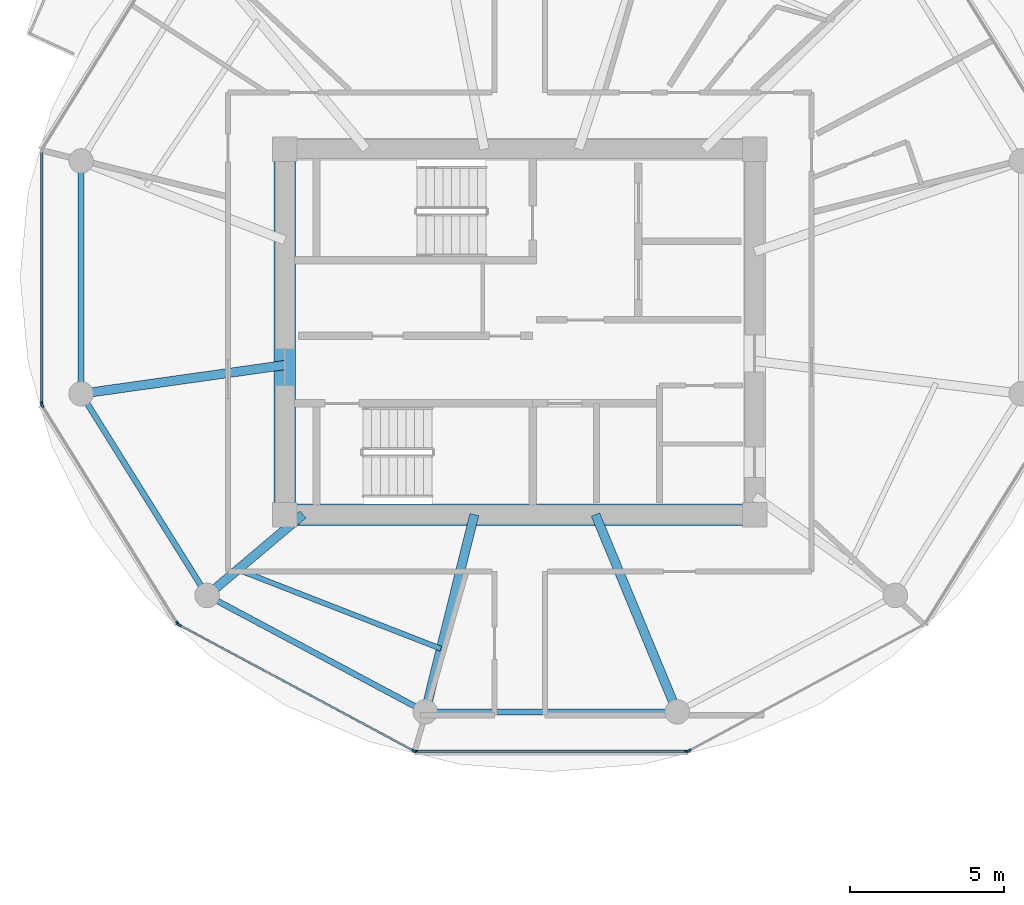
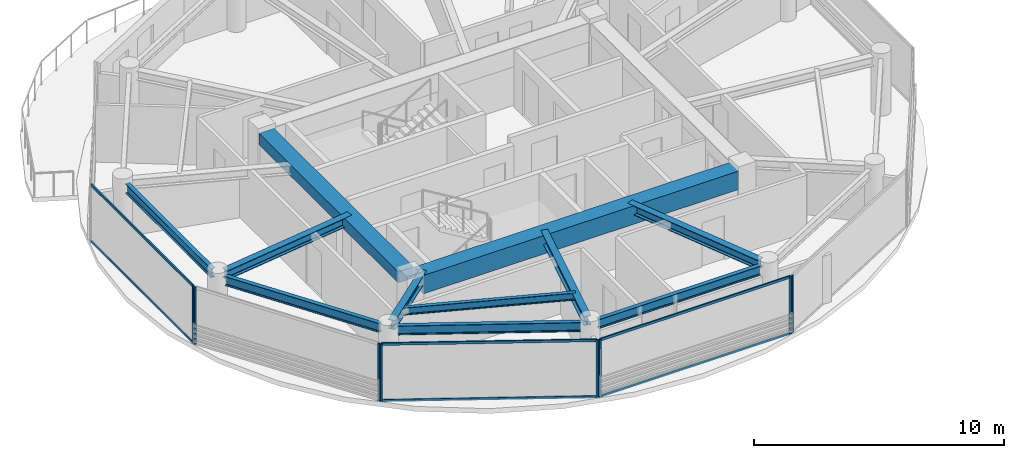
# One storey, part 2 of 21: 14 members, 11 beams, 5 elements without a shape of their own.
"""IFC4 building model written with IfcOpenShell, lengths in metres."""

from ifc_helpers import new_model, si_unit, direction, frame, origin, origin_2d, place, context, subcontext, project, spatial, rectangle, i_section, extrude, source, transform, mapped, material, layer, layer_set, material_profile, profile_set, type_object, type_shapes, element, aggregate, save


model = new_model("IFC4")

# Units and contexts
model_context = context("Model", 3, precision=1e-05, world=origin(), true_north=direction((0.0, 1.0)))
body_context = subcontext(model_context, "Body", "Model", "MODEL_VIEW")
ifc_project = project(units=[si_unit("LENGTHUNIT", "METRE"), si_unit("AREAUNIT", "SQUARE_METRE"), si_unit("VOLUMEUNIT", "CUBIC_METRE"), si_unit("PLANEANGLEUNIT", "RADIAN"), si_unit("MASSUNIT", "GRAM", prefix="KILO")], contexts=[model_context])

# Site, building, storey
site_placement = place(None, origin())
site = spatial("IfcSite", under=ifc_project, at=site_placement, CompositionType="ELEMENT")
building_placement = place(site_placement, origin())
building = spatial("IfcBuilding", under=site, at=building_placement, Name="Norrkilde Senior Care Towers", CompositionType="ELEMENT")
storey_placement = place(building_placement, frame((0.0, 0.0, 149.550048828125)))
storey = spatial("IfcBuildingStorey", under=building, at=storey_placement, Name="L46", CompositionType="ELEMENT", Elevation=149.550048828125)

# Beams
ifc_material_1 = material(Name="Concrete C60/75", Category="concrete")
ifc_material_profile_1 = material_profile(ifc_material_1, rectangle(XDim=0.699951171875, YDim=0.89990234375, at=origin_2d()), Name="RC BM 700x900")
ifc_profile_set_1 = profile_set([ifc_material_profile_1], Name="Concrete C60/75")
beam_type_1 = type_object("IfcBeamType", Name="Core Coupling Girder 700x900", PredefinedType="USERDEFINED", material=ifc_profile_set_1)
shared_shape_1 = source(origin(), body_context, "Body", "SweptSolid", [
    extrude(rectangle(XDim=0.699951171875, YDim=0.89990234375, at=origin_2d()), origin(), (0.0, 0.0, 1.0), 14.5400390625),
])
type_shapes(beam_type_1, [shared_shape_1])
beam_1_placement = place(storey_placement, frame((-35.27001953125, -5.949951171875, 2.35986328125), z_axis=(1.0, 0.0, 0.0), x_axis=(0.0, 1.0, 0.0)))
element("IfcBeam", 1, at=beam_1_placement, inside=storey, type_object=beam_type_1, Name="L46 Core W S Coupling Girder", ObjectType="GIRDER", PredefinedType="USERDEFINED", context=body_context, shape_type="MappedRepresentation", body=[
    mapped(shared_shape_1, transform((0.0, 0.0, 0.0), x_axis=(1.0, 0.0, 0.0), y_axis=(0.0, 1.0, 0.0), z_axis=(0.0, 0.0, 1.0), scale=1.0)),
])
ifc_material_profile_2 = material_profile(ifc_material_1, rectangle(XDim=0.699951171875, YDim=0.550048828125, at=origin_2d()), Name="RC BM 700x550")
ifc_profile_set_2 = profile_set([ifc_material_profile_2], Name="Concrete C60/75")
beam_type_2 = type_object("IfcBeamType", Name="Core Portal Coupling Beam 700x550", PredefinedType="USERDEFINED", material=ifc_profile_set_2)
shared_shape_2 = source(origin(), body_context, "Body", "SweptSolid", [
    extrude(rectangle(XDim=0.699951171875, YDim=0.550048828125, at=origin_2d()), origin(), (0.0, 0.0, 1.0), 11.14013671875),
])
type_shapes(beam_type_2, [shared_shape_2])
beam_2_placement = place(storey_placement, frame((-35.64990234375, -5.570068359375, 2.534912109375), z_axis=(0.0, 1.0, 0.0), x_axis=(-1.0, 0.0, 0.0)))
element("IfcBeam", 2, at=beam_2_placement, inside=storey, type_object=beam_type_2, Name="L46 Core W W Coupling Girder", ObjectType="GIRDER", PredefinedType="USERDEFINED", context=body_context, shape_type="MappedRepresentation", body=[
    mapped(shared_shape_2, transform((0.0, 0.0, 0.0), x_axis=(1.0, 0.0, 0.0), y_axis=(0.0, 1.0, 0.0), z_axis=(0.0, 0.0, 1.0), scale=1.0)),
])
ifc_material_2 = material(Name="Steel S355", Category="steel")
ifc_material_profile_3 = material_profile(ifc_material_2, i_section(OverallWidth=0.18994140625, OverallDepth=0.449951171875, WebThickness=0.009521484375, FlangeThickness=0.0146484375, FilletRadius=0.02099609375, at=origin_2d()), Name="IPE 450")
ifc_profile_set_3 = profile_set([ifc_material_profile_3], Name="Steel S355")
beam_type_3 = type_object("IfcBeamType", Name="Perimeter Ring Spandrel Z3 IPE450", PredefinedType="SPANDREL", material=ifc_profile_set_3)
shared_shape_3 = source(origin(), body_context, "Body", "SweptSolid", [
    extrude(i_section(OverallWidth=0.18994140625, OverallDepth=0.449951171875, WebThickness=0.009521484375, FlangeThickness=0.0146484375, FilletRadius=0.02099609375, at=origin_2d()), origin(), (0.0, 0.0, 1.0), 7.484619140625),
])
beam_3_placement = place(storey_placement, frame((-30.71728515625, -12.37548828125, 2.5849609375), z_axis=(1.0, 0.0, 0.0), x_axis=(0.0, 1.0, 0.0)))
element("IfcBeam", 3, at=beam_3_placement, inside=storey, type_object=beam_type_3, Name="L46 Drum W Perimeter Spandrel 09", PredefinedType="SPANDREL", context=body_context, shape_type="MappedRepresentation", body=[
    mapped(shared_shape_3, transform((0.0, 0.0, 0.0), x_axis=(1.0, 0.0, 0.0), y_axis=(0.0, 1.0, 0.0), z_axis=(0.0, 0.0, 1.0), scale=1.0)),
])
shared_shape_4 = source(origin(), body_context, "Body", "SweptSolid", [
    extrude(i_section(OverallWidth=0.18994140625, OverallDepth=0.449951171875, WebThickness=0.009521484375, FlangeThickness=0.0146484375, FilletRadius=0.02099609375, at=origin_2d()), origin(), (0.0, 0.0, 1.0), 6.86328125),
])
beam_4_placement = place(storey_placement, frame((-42.284912109375, 5.20703125, 2.5849609375), z_axis=(0.0, -1.0, 0.0), x_axis=(1.0, 0.0, 0.0)))
element("IfcBeam", 4, at=beam_4_placement, inside=storey, type_object=beam_type_3, Name="L46 Drum W Perimeter Spandrel 06", PredefinedType="SPANDREL", context=body_context, shape_type="MappedRepresentation", body=[
    mapped(shared_shape_4, transform((0.0, 0.0, 0.0), x_axis=(1.0, 0.0, 0.0), y_axis=(0.0, 1.0, 0.0), z_axis=(0.0, 0.0, 1.0), scale=1.0)),
])
shared_shape_5 = source(origin(), body_context, "Body", "SweptSolid", [
    extrude(i_section(OverallWidth=0.18994140625, OverallDepth=0.449951171875, WebThickness=0.009521484375, FlangeThickness=0.0146484375, FilletRadius=0.02099609375, at=origin_2d()), origin(), (0.0, 0.0, 1.0), 7.023193359375),
])
beam_5_placement = place(storey_placement, frame((-42.09423828125, -2.32177734375, 2.5849609375), z_axis=(0.529805197269, -0.848119362441, 0.0), x_axis=(0.848119362441, 0.529805197269, 0.0)))
element("IfcBeam", 5, at=beam_5_placement, inside=storey, type_object=beam_type_3, Name="L46 Drum W Perimeter Spandrel 07", PredefinedType="SPANDREL", context=body_context, shape_type="MappedRepresentation", body=[
    mapped(shared_shape_5, transform((0.0, 0.0, 0.0), x_axis=(1.0, 0.0, 0.0), y_axis=(0.0, 1.0, 0.0), z_axis=(0.0, 0.0, 1.0), scale=1.0)),
])
ifc_material_profile_4 = material_profile(ifc_material_2, i_section(OverallWidth=0.300048828125, OverallDepth=0.449951171875, WebThickness=0.013916015625, FlangeThickness=0.02587890625, FilletRadius=0.027099609375, at=origin_2d()), Name="HEB 450")
ifc_profile_set_4 = profile_set([ifc_material_profile_4], Name="Steel S355")
beam_type_4 = type_object("IfcBeamType", Name="Radial Floor Beam Z3 HEB450", PredefinedType="BEAM", material=ifc_profile_set_4)
shared_shape_6 = source(origin(), body_context, "Body", "SweptSolid", [
    extrude(i_section(OverallWidth=0.300048828125, OverallDepth=0.449951171875, WebThickness=0.013916015625, FlangeThickness=0.02587890625, FilletRadius=0.027099609375, at=origin_2d()), origin(), (0.0, 0.0, 1.0), 6.3408203125),
])
beam_6_placement = place(storey_placement, frame((-35.64990234375, -1.079833984375, 2.5849609375), z_axis=(-0.990184519576, -0.139766294905, 0.0), x_axis=(0.139766294905, -0.990184519576, 0.0)))
element("IfcBeam", 6, at=beam_6_placement, inside=storey, type_object=beam_type_4, Name="L46 Drum W Radial Floor Beam 07", PredefinedType="BEAM", context=body_context, shape_type="MappedRepresentation", body=[
    mapped(shared_shape_6, transform((0.0, 0.0, 0.0), x_axis=(1.0, 0.0, 0.0), y_axis=(0.0, 1.0, 0.0), z_axis=(0.0, 0.0, 1.0), scale=1.0)),
])
shared_shape_7 = source(origin(), body_context, "Body", "SweptSolid", [
    extrude(i_section(OverallWidth=0.18994140625, OverallDepth=0.449951171875, WebThickness=0.009521484375, FlangeThickness=0.0146484375, FilletRadius=0.02099609375, at=origin_2d()), origin(), (0.0, 0.0, 1.0), 7.333984375),
])
type_shapes(beam_type_3, [shared_shape_3, shared_shape_4, shared_shape_5, shared_shape_7])
beam_7_placement = place(storey_placement, frame((-37.864990234375, -8.753173828125, 2.5849609375), z_axis=(0.882234038987, -0.470811109101, 0.0), x_axis=(0.470811109101, 0.882234038987, 0.0)))
element("IfcBeam", 7, at=beam_7_placement, inside=storey, type_object=beam_type_3, Name="L46 Drum W Perimeter Spandrel 08", PredefinedType="SPANDREL", context=body_context, shape_type="MappedRepresentation", body=[
    mapped(shared_shape_7, transform((0.0, 0.0, 0.0), x_axis=(1.0, 0.0, 0.0), y_axis=(0.0, 1.0, 0.0), z_axis=(0.0, 0.0, 1.0), scale=1.0)),
])
shared_shape_8 = source(origin(), body_context, "Body", "SweptSolid", [
    extrude(i_section(OverallWidth=0.300048828125, OverallDepth=0.449951171875, WebThickness=0.013916015625, FlangeThickness=0.02587890625, FilletRadius=0.027099609375, at=origin_2d()), origin(), (0.0, 0.0, 1.0), 3.7265625),
])
beam_8_placement = place(storey_placement, frame((-35.058349609375, -5.949951171875, 2.5849609375), z_axis=(-0.764567902106, -0.644543189453, 0.0), x_axis=(0.644543189453, -0.764567902106, 0.0)))
element("IfcBeam", 8, at=beam_8_placement, inside=storey, type_object=beam_type_4, Name="L46 Drum W Radial Floor Beam 08", PredefinedType="BEAM", context=body_context, shape_type="MappedRepresentation", body=[
    mapped(shared_shape_8, transform((0.0, 0.0, 0.0), x_axis=(1.0, 0.0, 0.0), y_axis=(0.0, 1.0, 0.0), z_axis=(0.0, 0.0, 1.0), scale=1.0)),
])
shared_shape_9 = source(origin(), body_context, "Body", "SweptSolid", [
    extrude(i_section(OverallWidth=0.300048828125, OverallDepth=0.449951171875, WebThickness=0.013916015625, FlangeThickness=0.02587890625, FilletRadius=0.027099609375, at=origin_2d()), origin(), (0.0, 0.0, 1.0), 6.26123046875),
])
beam_9_placement = place(storey_placement, frame((-29.4794921875, -5.949951171875, 2.5849609375), z_axis=(-0.241324375921, -0.970444509277, 0.0), x_axis=(0.970444509277, -0.241324375921, 0.0)))
element("IfcBeam", 9, at=beam_9_placement, inside=storey, type_object=beam_type_4, Name="L46 Drum W Radial Floor Beam 09", PredefinedType="BEAM", context=body_context, shape_type="MappedRepresentation", body=[
    mapped(shared_shape_9, transform((0.0, 0.0, 0.0), x_axis=(1.0, 0.0, 0.0), y_axis=(0.0, 1.0, 0.0), z_axis=(0.0, 0.0, 1.0), scale=1.0)),
])
shared_shape_10 = source(origin(), body_context, "Body", "SweptSolid", [
    extrude(i_section(OverallWidth=0.300048828125, OverallDepth=0.449951171875, WebThickness=0.013916015625, FlangeThickness=0.02587890625, FilletRadius=0.027099609375, at=origin_2d()), origin(), (0.0, 0.0, 1.0), 6.59521484375),
])
type_shapes(beam_type_4, [shared_shape_6, shared_shape_8, shared_shape_9, shared_shape_10])
beam_10_placement = place(storey_placement, frame((-25.534912109375, -5.949951171875, 2.5849609375), z_axis=(0.382761541363, -0.923847174836, 0.0), x_axis=(0.923847174836, 0.382761541363, 0.0)))
element("IfcBeam", 10, at=beam_10_placement, inside=storey, type_object=beam_type_4, Name="L46 Drum W Radial Floor Beam 10", PredefinedType="BEAM", context=body_context, shape_type="MappedRepresentation", body=[
    mapped(shared_shape_10, transform((0.0, 0.0, 0.0), x_axis=(1.0, 0.0, 0.0), y_axis=(0.0, 1.0, 0.0), z_axis=(0.0, 0.0, 1.0), scale=1.0)),
])
ifc_material_profile_5 = material_profile(ifc_material_2, i_section(OverallWidth=0.169921875, OverallDepth=0.360107421875, WebThickness=0.008056640625, FlangeThickness=0.0126953125, FilletRadius=0.01806640625, at=origin_2d()), Name="IPE 360")
ifc_profile_set_5 = profile_set([ifc_material_profile_5], Name="Steel S355")
beam_type_5 = type_object("IfcBeamType", Name="Secondary Floor Joist IPE360", PredefinedType="JOIST", material=ifc_profile_set_5)
shared_shape_11 = source(origin(), body_context, "Body", "SweptSolid", [
    extrude(i_section(OverallWidth=0.169921875, OverallDepth=0.360107421875, WebThickness=0.008056640625, FlangeThickness=0.0126953125, FilletRadius=0.01806640625, at=origin_2d()), origin(), (0.0, 0.0, 1.0), 7.1015625),
])
type_shapes(beam_type_5, [shared_shape_11])
beam_11_placement = place(storey_placement, frame((-37.182861328125, -7.740966796875, 2.6298828125), z_axis=(0.931761231292, -0.363071629106, 0.0), x_axis=(0.363071629106, 0.931761231292, 0.0)))
element("IfcBeam", 11, at=beam_11_placement, inside=storey, type_object=beam_type_5, Name="L46 Drum W Secondary Floor Joist 3", PredefinedType="JOIST", context=body_context, shape_type="MappedRepresentation", body=[
    mapped(shared_shape_11, transform((0.0, 0.0, 0.0), x_axis=(1.0, 0.0, 0.0), y_axis=(0.0, 1.0, 0.0), z_axis=(0.0, 0.0, 1.0), scale=1.0)),
])

# Curtain wall, member
ifc_material_3 = material(Name="Triple Low-E Insulated Glazing", Category="glass")
ifc_layer = layer(ifc_material_3, 0.18994140625)
ifc_layer_set = layer_set([ifc_layer], Name="Triple Low-E Insulated Glazing")
curtain_wall_type = type_object("IfcCurtainWallType", Name="CW4 Zone 3 Senior Residence Curtain Wall", PredefinedType="NOTDEFINED", material=ifc_layer_set)
curtain_wall_1_placement = place(storey_placement, origin())
curtain_wall_1 = element("IfcCurtainWall", 12, at=curtain_wall_1_placement, inside=storey, type_object=curtain_wall_type, Name="L46 Drum W Curtain Wall 05", PredefinedType="NOTDEFINED")
ifc_material_4 = material(Name="Anodised Aluminium", Category="aluminium")
ifc_material_profile_6 = material_profile(ifc_material_4, rectangle(XDim=0.06494140625, YDim=0.14990234375, at=origin_2d()), Name="ALU MULL 65x150")
ifc_profile_set_6 = profile_set([ifc_material_profile_6], Name="Anodised Aluminium")
member_type_1 = type_object("IfcMemberType", Name="Curtain Wall Mullion Z3-Z4 65x150", PredefinedType="MULLION", material=ifc_profile_set_6)
shared_shape_12 = source(origin(), body_context, "Body", "SweptSolid", [
    extrude(rectangle(XDim=0.06494140625, YDim=0.14990234375, at=origin_2d()), origin(), (0.0, 0.0, 1.0), 2.81005859375),
])
type_shapes(member_type_1, [shared_shape_12])
member_1_placement = place(storey_placement, frame((-43.569580078125, -2.328125, 0.0), z_axis=(0.0, 0.0, 1.0), x_axis=(-1.0, 0.0, 0.0)))
member_1 = element("IfcMember", 13, at=member_1_placement, type_object=member_type_1, Name="CW-4 mullion 1", PredefinedType="MULLION", context=body_context, shape_type="MappedRepresentation", body=[
    mapped(shared_shape_12, transform((0.0, 0.0, 0.0), x_axis=(1.0, 0.0, 0.0), y_axis=(0.0, 1.0, 0.0), z_axis=(0.0, 0.0, 1.0), scale=1.0)),
])

# Curtain wall, members
curtain_wall_2_placement = place(storey_placement, origin())
curtain_wall_2 = element("IfcCurtainWall", 14, at=curtain_wall_2_placement, inside=storey, type_object=curtain_wall_type, Name="L46 Drum W Curtain Wall 06", PredefinedType="NOTDEFINED")
member_2_placement = place(storey_placement, frame((-39.14013671875, -9.49658203125, 0.0), z_axis=(0.0, 0.0, 1.0), x_axis=(-0.84963405474, -0.52737270789, 0.0)))
member_2 = element("IfcMember", 15, at=member_2_placement, type_object=member_type_1, Name="CW-4 mullion 1", PredefinedType="MULLION", context=body_context, shape_type="MappedRepresentation", body=[
    mapped(shared_shape_12, transform((0.0, 0.0, 0.0), x_axis=(1.0, 0.0, 0.0), y_axis=(0.0, 1.0, 0.0), z_axis=(0.0, 0.0, 1.0), scale=1.0)),
])
member_3_placement = place(storey_placement, frame((-43.552490234375, -2.38818359375, 0.0), z_axis=(0.0, 0.0, 1.0), x_axis=(-0.84963405474, -0.52737270789, 0.0)))
member_3 = element("IfcMember", 16, at=member_3_placement, type_object=member_type_1, Name="CW-4 mullion 2", PredefinedType="MULLION", context=body_context, shape_type="MappedRepresentation", body=[
    mapped(shared_shape_12, transform((0.0, 0.0, 0.0), x_axis=(1.0, 0.0, 0.0), y_axis=(0.0, 1.0, 0.0), z_axis=(0.0, 0.0, 1.0), scale=1.0)),
])
aggregate(curtain_wall_2, [member_2, member_3])

curtain_wall_3_placement = place(storey_placement, origin())
curtain_wall_3 = element("IfcCurtainWall", 17, at=curtain_wall_3_placement, inside=storey, type_object=curtain_wall_type, Name="L46 Drum W Curtain Wall 07", PredefinedType="NOTDEFINED")
member_4_placement = place(storey_placement, frame((-31.4501953125, -13.644775390625, 0.0), z_axis=(0.0, 0.0, 1.0), x_axis=(-0.47311715104, -0.880999524059, 0.0)))
member_4 = element("IfcMember", 18, at=member_4_placement, type_object=member_type_1, Name="CW-4 mullion 1", PredefinedType="MULLION", context=body_context, shape_type="MappedRepresentation", body=[
    mapped(shared_shape_12, transform((0.0, 0.0, 0.0), x_axis=(1.0, 0.0, 0.0), y_axis=(0.0, 1.0, 0.0), z_axis=(0.0, 0.0, 1.0), scale=1.0)),
])
member_5_placement = place(storey_placement, frame((-39.094482421875, -9.53955078125, 0.0), z_axis=(0.0, 0.0, 1.0), x_axis=(-0.47311715104, -0.880999524059, 0.0)))
member_5 = element("IfcMember", 19, at=member_5_placement, type_object=member_type_1, Name="CW-4 mullion 2", PredefinedType="MULLION", context=body_context, shape_type="MappedRepresentation", body=[
    mapped(shared_shape_12, transform((0.0, 0.0, 0.0), x_axis=(1.0, 0.0, 0.0), y_axis=(0.0, 1.0, 0.0), z_axis=(0.0, 0.0, 1.0), scale=1.0)),
])

curtain_wall_4_placement = place(storey_placement, origin())
curtain_wall_4 = element("IfcCurtainWall", 20, at=curtain_wall_4_placement, inside=storey, type_object=curtain_wall_type, Name="L46 Drum W Curtain Wall 08", PredefinedType="NOTDEFINED")
member_6_placement = place(storey_placement, frame((-22.56103515625, -13.66015625, 0.0), z_axis=(0.0, 0.0, 1.0), x_axis=(0.0, -1.0, 0.0)))
member_6 = element("IfcMember", 21, at=member_6_placement, type_object=member_type_1, Name="CW-4 mullion 1", PredefinedType="MULLION", context=body_context, shape_type="MappedRepresentation", body=[
    mapped(shared_shape_12, transform((0.0, 0.0, 0.0), x_axis=(1.0, 0.0, 0.0), y_axis=(0.0, 1.0, 0.0), z_axis=(0.0, 0.0, 1.0), scale=1.0)),
])
member_7_placement = place(storey_placement, frame((-31.388916015625, -13.66015625, 0.0), z_axis=(0.0, 0.0, 1.0), x_axis=(0.0, -1.0, 0.0)))
member_7 = element("IfcMember", 22, at=member_7_placement, type_object=member_type_1, Name="CW-4 mullion 2", PredefinedType="MULLION", context=body_context, shape_type="MappedRepresentation", body=[
    mapped(shared_shape_12, transform((0.0, 0.0, 0.0), x_axis=(1.0, 0.0, 0.0), y_axis=(0.0, 1.0, 0.0), z_axis=(0.0, 0.0, 1.0), scale=1.0)),
])

# Curtain wall, member
curtain_wall_5_placement = place(storey_placement, origin())
curtain_wall_5 = element("IfcCurtainWall", 23, at=curtain_wall_5_placement, inside=storey, type_object=curtain_wall_type, Name="L46 Drum W Curtain Wall 09", PredefinedType="NOTDEFINED")
member_8_placement = place(storey_placement, frame((-22.499755859375, -13.644775390625, 0.0), z_axis=(0.0, 0.0, 1.0), x_axis=(0.47311715104, -0.880999524059, 0.0)))
member_8 = element("IfcMember", 24, at=member_8_placement, type_object=member_type_1, Name="CW-4 mullion 2", PredefinedType="MULLION", context=body_context, shape_type="MappedRepresentation", body=[
    mapped(shared_shape_12, transform((0.0, 0.0, 0.0), x_axis=(1.0, 0.0, 0.0), y_axis=(0.0, 1.0, 0.0), z_axis=(0.0, 0.0, 1.0), scale=1.0)),
])
aggregate(curtain_wall_5, [member_8])

# Member
ifc_material_profile_7 = material_profile(ifc_material_4, rectangle(XDim=0.06005859375, YDim=0.1201171875, at=origin_2d()), Name="ALU TRAN 60x120")
ifc_profile_set_7 = profile_set([ifc_material_profile_7], Name="Anodised Aluminium")
member_type_2 = type_object("IfcMemberType", Name="Curtain Wall Transom Typical 60x120", PredefinedType="USERDEFINED", material=ifc_profile_set_7)
shared_shape_13 = source(origin(), body_context, "Body", "SweptSolid", [
    extrude(rectangle(XDim=0.06005859375, YDim=0.1201171875, at=origin_2d()), origin(), (0.0, 0.0, 1.0), 8.762939453125),
])
member_9_placement = place(storey_placement, frame((-22.593505859375, -13.66015625, 0.030029296875), z_axis=(-1.0, 0.0, 0.0), x_axis=(0.0, -1.0, 0.0)))
member_9 = element("IfcMember", 25, at=member_9_placement, type_object=member_type_2, Name="CW-4 transom 1.1", ObjectType="TRANSOM", PredefinedType="USERDEFINED", context=body_context, shape_type="MappedRepresentation", body=[
    mapped(shared_shape_13, transform((0.0, 0.0, 0.0), x_axis=(1.0, 0.0, 0.0), y_axis=(0.0, 1.0, 0.0), z_axis=(0.0, 0.0, 1.0), scale=1.0)),
])

member_10_placement = place(storey_placement, frame((-22.593505859375, -13.66015625, 2.780029296875), z_axis=(-1.0, 0.0, 0.0), x_axis=(0.0, -1.0, 0.0)))
member_10 = element("IfcMember", 26, at=member_10_placement, type_object=member_type_2, Name="CW-4 transom 1.2", ObjectType="TRANSOM", PredefinedType="USERDEFINED", context=body_context, shape_type="MappedRepresentation", body=[
    mapped(shared_shape_13, transform((0.0, 0.0, 0.0), x_axis=(1.0, 0.0, 0.0), y_axis=(0.0, 1.0, 0.0), z_axis=(0.0, 0.0, 1.0), scale=1.0)),
])

aggregate(curtain_wall_4, [member_6, member_7, member_9, member_10])

shared_shape_14 = source(origin(), body_context, "Body", "SweptSolid", [
    extrude(rectangle(XDim=0.06005859375, YDim=0.1201171875, at=origin_2d()), origin(), (0.0, 0.0, 1.0), 8.612060546875),
])
member_11_placement = place(storey_placement, frame((-31.478759765625, -13.62939453125, 0.030029296875), z_axis=(-0.881000337462, 0.473115636384, 0.0), x_axis=(-0.473115636384, -0.881000337462, 0.0)))
member_11 = element("IfcMember", 27, at=member_11_placement, type_object=member_type_2, Name="CW-4 transom 1.1", ObjectType="TRANSOM", PredefinedType="USERDEFINED", context=body_context, shape_type="MappedRepresentation", body=[
    mapped(shared_shape_14, transform((0.0, 0.0, 0.0), x_axis=(1.0, 0.0, 0.0), y_axis=(0.0, 1.0, 0.0), z_axis=(0.0, 0.0, 1.0), scale=1.0)),
])

member_12_placement = place(storey_placement, frame((-31.478759765625, -13.62939453125, 2.780029296875), z_axis=(-0.881000337462, 0.473115636384, 0.0), x_axis=(-0.473115636384, -0.881000337462, 0.0)))
member_12 = element("IfcMember", 28, at=member_12_placement, type_object=member_type_2, Name="CW-4 transom 1.2", ObjectType="TRANSOM", PredefinedType="USERDEFINED", context=body_context, shape_type="MappedRepresentation", body=[
    mapped(shared_shape_14, transform((0.0, 0.0, 0.0), x_axis=(1.0, 0.0, 0.0), y_axis=(0.0, 1.0, 0.0), z_axis=(0.0, 0.0, 1.0), scale=1.0)),
])

aggregate(curtain_wall_3, [member_4, member_5, member_11, member_12])

shared_shape_15 = source(origin(), body_context, "Body", "SweptSolid", [
    extrude(rectangle(XDim=0.06005859375, YDim=0.1201171875, at=origin_2d()), origin(), (0.0, 0.0, 1.0), 8.141845703125),
])
type_shapes(member_type_2, [shared_shape_13, shared_shape_14, shared_shape_15])
member_13_placement = place(storey_placement, frame((-43.569580078125, -2.295654296875, 0.030029296875), z_axis=(0.0, 1.0, 0.0), x_axis=(-1.0, 0.0, 0.0)))
member_13 = element("IfcMember", 29, at=member_13_placement, type_object=member_type_2, Name="CW-4 transom 1.1", ObjectType="TRANSOM", PredefinedType="USERDEFINED", context=body_context, shape_type="MappedRepresentation", body=[
    mapped(shared_shape_15, transform((0.0, 0.0, 0.0), x_axis=(1.0, 0.0, 0.0), y_axis=(0.0, 1.0, 0.0), z_axis=(0.0, 0.0, 1.0), scale=1.0)),
])

member_14_placement = place(storey_placement, frame((-43.569580078125, -2.295654296875, 2.780029296875), z_axis=(0.0, 1.0, 0.0), x_axis=(-1.0, 0.0, 0.0)))
member_14 = element("IfcMember", 30, at=member_14_placement, type_object=member_type_2, Name="CW-4 transom 1.2", ObjectType="TRANSOM", PredefinedType="USERDEFINED", context=body_context, shape_type="MappedRepresentation", body=[
    mapped(shared_shape_15, transform((0.0, 0.0, 0.0), x_axis=(1.0, 0.0, 0.0), y_axis=(0.0, 1.0, 0.0), z_axis=(0.0, 0.0, 1.0), scale=1.0)),
])

aggregate(curtain_wall_1, [member_1, member_13, member_14])

save(model, "model.ifc")
